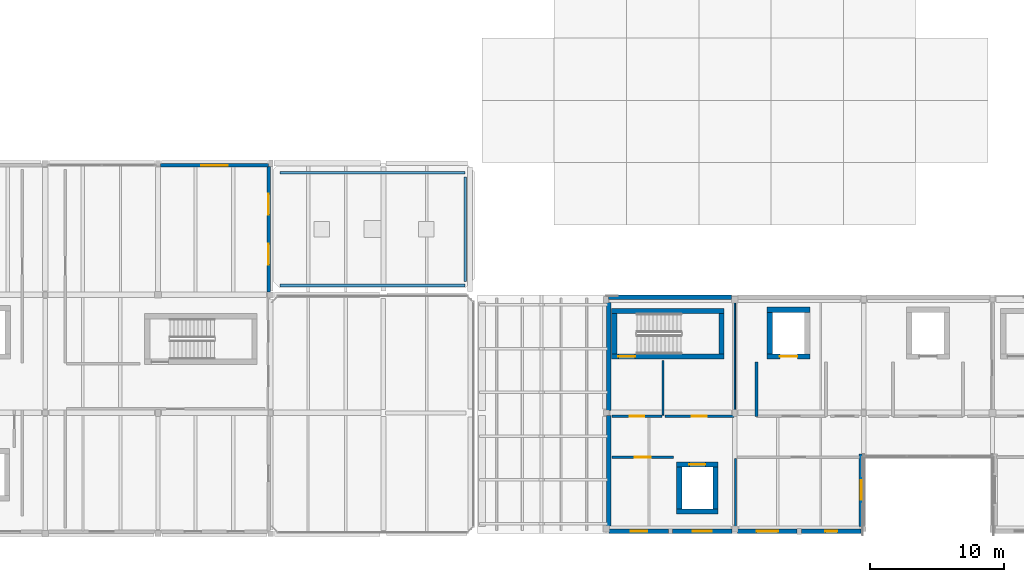
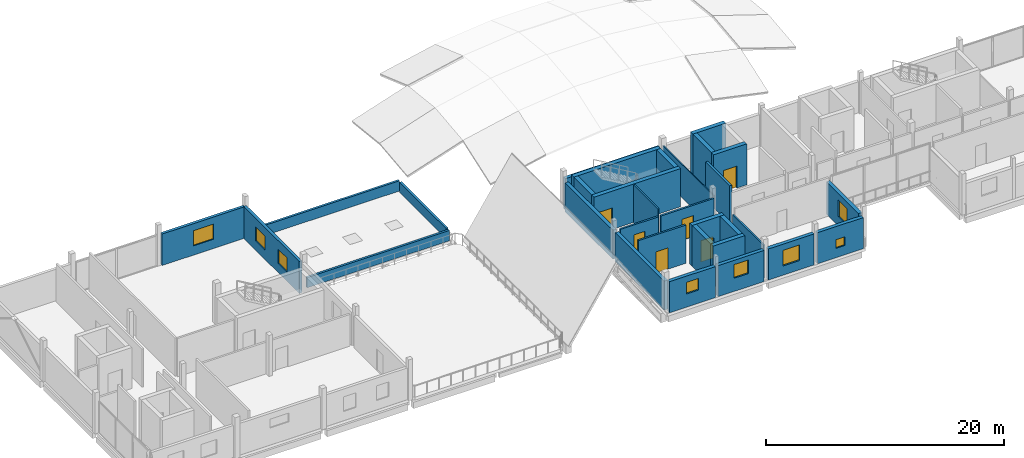
# One storey, part 20 of 35: 31 walls, 8 windows, 6 doors, 14 openings.
"""IFC4 building model written with IfcOpenShell, lengths in metres."""

from ifc_helpers import new_model, si_unit, direction, frame, frame_2d, origin, place, context, subcontext, project, spatial, rectangle, extrude, material, layer, layer_set, type_object, element, fill, save


model = new_model("IFC4")

# Units and contexts
model_context = context("Model", 3, precision=1e-05, world=origin(), true_north=direction((0.0, 1.0)))
body_context = subcontext(model_context, "Body", "Model", "MODEL_VIEW")
ifc_project = project(units=[si_unit("LENGTHUNIT", "METRE"), si_unit("AREAUNIT", "SQUARE_METRE"), si_unit("VOLUMEUNIT", "CUBIC_METRE"), si_unit("PLANEANGLEUNIT", "RADIAN"), si_unit("MASSUNIT", "GRAM", prefix="KILO")], contexts=[model_context])

# Site, building, storey
site_placement = place(None, origin())
site = spatial("IfcSite", under=ifc_project, at=site_placement, CompositionType="ELEMENT")
building_placement = place(site_placement, origin())
building = spatial("IfcBuilding", under=site, at=building_placement, Name="Birchvale Park Specialist Clinic", CompositionType="ELEMENT")
storey_placement = place(building_placement, frame((0.0, 0.0, 13.800048828125)))
storey = spatial("IfcBuildingStorey", under=building, at=storey_placement, Name="L03", CompositionType="ELEMENT", Elevation=13.800048828125)

# Wall, opening, door
ifc_material_1 = material(Name="Concrete C40/50", Category="concrete")
ifc_layer_1 = layer(ifc_material_1, 0.39990234375)
ifc_layer_set_1 = layer_set([ifc_layer_1], Name="Concrete C40/50")
wall_type_1 = type_object("IfcWallType", Name="WL-CW-120", PredefinedType="SHEAR", material=ifc_layer_set_1)
wall_1_placement = place(storey_placement, frame((61.800048828125, 30.0, 0.0), z_axis=(0.0, 0.0, 1.0), x_axis=(1.0, 0.0, 0.0)))
wall_1 = element("IfcWall", 1, at=wall_1_placement, inside=storey, type_object=wall_type_1, Name="L03 stair ST4 EI 120 enclosure wall (south)", PredefinedType="SHEAR", context=body_context, shape_type="SweptSolid", body=[
    extrude(rectangle(XDim=8.39990234375, YDim=0.39990234375, at=frame_2d((4.199951171875, 0.0))), origin(), (0.0, 0.0, 1.0), 3.919921875),
])
opening_1_placement = place(wall_1_placement, frame((0.52001953125, 0.0, 0.0)))
opening_1 = element("IfcOpeningElement", 2, at=opening_1_placement, cuts=wall_1, Name="Opening ID-FD60", PredefinedType="OPENING", context=body_context, shape_type="SweptSolid", body=[
    extrude(rectangle(XDim=1.25, YDim=2.199951171875, at=frame_2d((0.625, 1.10009765625))), frame((0.0, 0.2099609375, 0.0), z_axis=(0.0, -1.0, 0.0), x_axis=(1.0, 0.0, 0.0)), (0.0, 0.0, 1.0), 0.419921875),
])
ifc_material_2 = material(Name="Solid-core birch veneer and anodised aluminium", Category="aluminium")
door_type_1 = type_object("IfcDoorType", Name="DR-ID-FD60", OperationType="NOTDEFINED", PredefinedType="DOOR", material=ifc_material_2)
door_1_placement = place(opening_1_placement, origin())
door_1 = element("IfcDoor", 3, at=door_1_placement, inside=storey, type_object=door_type_1, Name="L03 stair ST4 fire door", OperationType="SINGLE_SWING_RIGHT", OverallHeight=2.199951171875, OverallWidth=1.25, PredefinedType="DOOR", context=body_context, shape_type="SweptSolid", body=[
    extrude(rectangle(XDim=1.25, YDim=2.199951171875, at=frame_2d((0.625, 1.10009765625))), frame((0.0, 0.02490234375, 0.0), z_axis=(0.0, -1.0, 0.0), x_axis=(1.0, 0.0, 0.0)), (0.0, 0.0, 1.0), 0.050048828125),
])
fill(opening_1, door_1)

# Walls
wall_2_placement = place(storey_placement, frame((70.199951171875, 33.39990234375, 0.0), z_axis=(0.0, 0.0, 1.0), x_axis=(-1.0, 0.0, 0.0)))
element("IfcWall", 4, at=wall_2_placement, inside=storey, type_object=wall_type_1, Name="L03 stair ST4 EI 120 enclosure wall (north)", PredefinedType="SHEAR", context=body_context, shape_type="SweptSolid", body=[
    extrude(rectangle(XDim=8.39990234375, YDim=0.39990234375, at=frame_2d((4.199951171875, 0.0))), origin(), (0.0, 0.0, 1.0), 3.919921875),
])
for number, where, z_axis, x_axis, name in (
    (5, (62.0, 30.199951171875, 0.0), (0.0, 0.0, 1.0), (0.0, 1.0, 0.0), "L03 stair ST4 EI 120 enclosure wall (west)"),
    (6, (70.0, 33.199951171875, 0.0), (0.0, 0.0, 1.0), (0.0, -1.0, 0.0), "L03 stair ST4 EI 120 enclosure wall (east)"),
):
    element("IfcWall", number, at=place(storey_placement, frame(where, z_axis=z_axis, x_axis=x_axis)), inside=storey, type_object=wall_type_1, Name=name, PredefinedType="SHEAR", context=body_context, shape_type="SweptSolid", body=[
        extrude(rectangle(XDim=3.0, YDim=0.39990234375, at=frame_2d((1.5, 0.0))), origin(), (0.0, 0.0, 1.0), 3.919921875),
    ])

# Wall, opening, door
wall_3_placement = place(storey_placement, frame((73.39990234375, 30.0, 0.0), z_axis=(0.0, 0.0, 1.0), x_axis=(1.0, 0.0, 0.0)))
wall_3 = element("IfcWall", 7, at=wall_3_placement, inside=storey, type_object=wall_type_1, Name="L03 lift LF1 shaft wall (south)", PredefinedType="SHEAR", context=body_context, shape_type="SweptSolid", body=[
    extrude(rectangle(XDim=3.2001953125, YDim=0.39990234375, at=frame_2d((1.60009765625, 0.0))), origin(), (0.0, 0.0, 1.0), 4.199951171875),
])
opening_2_placement = place(wall_3_placement, frame((0.949951171875, 0.0, 0.0)))
opening_2 = element("IfcOpeningElement", 8, at=opening_2_placement, cuts=wall_3, Name="Opening LD-02", PredefinedType="OPENING", context=body_context, shape_type="SweptSolid", body=[
    extrude(rectangle(XDim=1.300048828125, YDim=2.25, at=frame_2d((0.64990234375, 1.125))), frame((0.0, 0.2099609375, 0.0), z_axis=(0.0, -1.0, 0.0), x_axis=(1.0, 0.0, 0.0)), (0.0, 0.0, 1.0), 0.419921875),
])
door_type_2 = type_object("IfcDoorType", Name="DR-LD-02", OperationType="DOUBLE_DOOR_SLIDING", PredefinedType="DOOR", material=ifc_material_2)
door_2_placement = place(opening_2_placement, origin())
door_2 = element("IfcDoor", 9, at=door_2_placement, inside=storey, type_object=door_type_2, Name="L03 lift LF1 sliding landing door", OperationType="DOUBLE_DOOR_SLIDING", OverallHeight=2.25, OverallWidth=1.300048828125, PredefinedType="DOOR", context=body_context, shape_type="SweptSolid", body=[
    extrude(rectangle(XDim=1.300048828125, YDim=2.25, at=frame_2d((0.64990234375, 1.125))), frame((0.0, 0.02490234375, 0.0), z_axis=(0.0, -1.0, 0.0), x_axis=(1.0, 0.0, 0.0)), (0.0, 0.0, 1.0), 0.050048828125),
])
fill(opening_2, door_2)

# Walls
wall_4_placement = place(storey_placement, frame((76.60009765625, 33.5, 0.0), z_axis=(0.0, 0.0, 1.0), x_axis=(-1.0, 0.0, 0.0)))
element("IfcWall", 10, at=wall_4_placement, inside=storey, type_object=wall_type_1, Name="L03 lift LF1 shaft wall (north)", PredefinedType="SHEAR", context=body_context, shape_type="SweptSolid", body=[
    extrude(rectangle(XDim=3.2001953125, YDim=0.39990234375, at=frame_2d((1.60009765625, 0.0))), origin(), (0.0, 0.0, 1.0), 4.199951171875),
])
for number, where, z_axis, x_axis, name in (
    (11, (73.60009765625, 30.199951171875, 0.0), (0.0, 0.0, 1.0), (0.0, 1.0, 0.0), "L03 lift LF1 shaft wall (west)"),
    (12, (66.64990234375, 18.449951171875, 0.0), (0.0, 0.0, 1.0), (1.0, 0.0, 0.0), "L03 lift LP1 shaft wall (south)"),
):
    element("IfcWall", number, at=place(storey_placement, frame(where, z_axis=z_axis, x_axis=x_axis)), inside=storey, type_object=wall_type_1, Name=name, PredefinedType="SHEAR", context=body_context, shape_type="SweptSolid", body=[
        extrude(rectangle(XDim=3.10009765625, YDim=0.39990234375, at=frame_2d((1.550048828125, 0.0))), origin(), (0.0, 0.0, 1.0), 4.199951171875),
    ])

# Wall, opening, door
wall_5_placement = place(storey_placement, frame((69.75, 21.949951171875, 0.0), z_axis=(0.0, 0.0, 1.0), x_axis=(-1.0, 0.0, 0.0)))
wall_5 = element("IfcWall", 13, at=wall_5_placement, inside=storey, type_object=wall_type_1, Name="L03 lift LP1 shaft wall (north)", PredefinedType="SHEAR", context=body_context, shape_type="SweptSolid", body=[
    extrude(rectangle(XDim=3.10009765625, YDim=0.39990234375, at=frame_2d((1.550048828125, 0.0))), origin(), (0.0, 0.0, 1.0), 4.199951171875),
])
opening_3_placement = place(wall_5_placement, frame((0.949951171875, 0.0, 0.0)))
opening_3 = element("IfcOpeningElement", 14, at=opening_3_placement, cuts=wall_5, Name="Opening LD-01", PredefinedType="OPENING", context=body_context, shape_type="SweptSolid", body=[
    extrude(rectangle(XDim=1.199951171875, YDim=2.199951171875, at=frame_2d((0.60009765625, 1.10009765625))), frame((0.0, 0.2099609375, 0.0), z_axis=(0.0, -1.0, 0.0), x_axis=(1.0, 0.0, 0.0)), (0.0, 0.0, 1.0), 0.419921875),
])
door_type_3 = type_object("IfcDoorType", Name="DR-LD-01", OperationType="DOUBLE_DOOR_SLIDING", PredefinedType="DOOR", material=ifc_material_2)
door_3_placement = place(opening_3_placement, origin())
door_3 = element("IfcDoor", 15, at=door_3_placement, inside=storey, type_object=door_type_3, Name="L03 lift LP1 sliding landing door", OperationType="DOUBLE_DOOR_SLIDING", OverallHeight=2.199951171875, OverallWidth=1.199951171875, PredefinedType="DOOR", context=body_context, shape_type="SweptSolid", body=[
    extrude(rectangle(XDim=1.199951171875, YDim=2.199951171875, at=frame_2d((0.60009765625, 1.10009765625))), frame((0.0, 0.02490234375, 0.0), z_axis=(0.0, -1.0, 0.0), x_axis=(1.0, 0.0, 0.0)), (0.0, 0.0, 1.0), 0.050048828125),
])
fill(opening_3, door_3)

# Walls
for number, where, z_axis, x_axis, name in (
    (16, (66.85009765625, 18.64990234375, 0.0), (0.0, 0.0, 1.0), (0.0, 1.0, 0.0), "L03 lift LP1 shaft wall (west)"),
    (17, (69.550048828125, 21.75, 0.0), (0.0, 0.0, 1.0), (0.0, -1.0, 0.0), "L03 lift LP1 shaft wall (east)"),
):
    element("IfcWall", number, at=place(storey_placement, frame(where, z_axis=z_axis, x_axis=x_axis)), inside=storey, type_object=wall_type_1, Name=name, PredefinedType="SHEAR", context=body_context, shape_type="SweptSolid", body=[
        extrude(rectangle(XDim=3.10009765625, YDim=0.39990234375, at=frame_2d((1.550048828125, 0.0))), origin(), (0.0, 0.0, 1.0), 4.199951171875),
    ])

# Wall, opening, window
ifc_material_3 = material(Name="Lime-white mineral-rendered insulated masonry", Category="masonry")
ifc_layer_2 = layer(ifc_material_3, 0.340087890625)
ifc_layer_set_2 = layer_set([ifc_layer_2], Name="Lime-white mineral-rendered insulated masonry")
wall_type_2 = type_object("IfcWallType", Name="WL-EW-01", PredefinedType="STANDARD", material=ifc_layer_set_2)
wall_6_placement = place(storey_placement, frame((61.635009765625, 16.989990234375, 0.0), z_axis=(0.0, 0.0, 1.0), x_axis=(1.0, 0.0, 0.0)))
wall_6 = element("IfcWall", 18, at=wall_6_placement, inside=storey, type_object=wall_type_2, Name="V4 L03 exterior facade wall 238", PredefinedType="STANDARD", context=body_context, shape_type="SweptSolid", body=[
    extrude(rectangle(XDim=4.429931640625, YDim=0.340087890625, at=frame_2d((2.21484375, 0.0))), origin(), (0.0, 0.0, 1.0), 3.18505859375),
])
opening_4_placement = place(wall_6_placement, frame((1.614990234375, 0.0, 1.35009765625)))
opening_4 = element("IfcOpeningElement", 19, at=opening_4_placement, cuts=wall_6, Name="Opening W-SQ12", PredefinedType="OPENING", context=body_context, shape_type="SweptSolid", body=[
    extrude(rectangle(XDim=1.199951171875, YDim=1.199951171875, at=frame_2d((0.60009765625, 0.60009765625))), frame((0.0, 0.18017578125, 0.0), z_axis=(0.0, -1.0, 0.0), x_axis=(1.0, 0.0, 0.0)), (0.0, 0.0, 1.0), 0.360107421875),
])
ifc_material_4 = material(Name="Solar-control low-E double glazing", Category="glass")
window_type_1 = type_object("IfcWindowType", Name="WIN-W-SQ12", PartitioningType="SINGLE_PANEL", PredefinedType="WINDOW", material=ifc_material_4)
window_1_placement = place(opening_4_placement, origin())
window_1 = element("IfcWindow", 20, at=window_1_placement, inside=storey, type_object=window_type_1, Name="V4 L03 cased window 100", OverallHeight=1.199951171875, OverallWidth=1.199951171875, PartitioningType="SINGLE_PANEL", PredefinedType="WINDOW", context=body_context, shape_type="SweptSolid", body=[
    extrude(rectangle(XDim=1.199951171875, YDim=1.199951171875, at=frame_2d((0.60009765625, 0.60009765625))), frame((0.0, 0.030029296875, 0.0), z_axis=(0.0, -1.0, 0.0), x_axis=(1.0, 0.0, 0.0)), (0.0, 0.0, 1.0), 0.06005859375),
])
fill(opening_4, window_1)

wall_7_placement = place(storey_placement, frame((66.3349609375, 16.989990234375, 0.0), z_axis=(0.0, 0.0, 1.0), x_axis=(1.0, 0.0, 0.0)))
wall_7 = element("IfcWall", 21, at=wall_7_placement, inside=storey, type_object=wall_type_2, Name="V4 L03 exterior facade wall 239", PredefinedType="STANDARD", context=body_context, shape_type="SweptSolid", body=[
    extrude(rectangle(XDim=4.455078125, YDim=0.340087890625, at=frame_2d((2.2275390625, 0.0))), origin(), (0.0, 0.0, 1.0), 3.18505859375),
])
opening_5_placement = place(wall_7_placement, frame((1.527587890625, 0.0, 1.35009765625)))
opening_5 = element("IfcOpeningElement", 22, at=opening_5_placement, cuts=wall_7, Name="Opening W-SQ14", PredefinedType="OPENING", context=body_context, shape_type="SweptSolid", body=[
    extrude(rectangle(XDim=1.39990234375, YDim=1.39990234375, at=frame_2d((0.699951171875, 0.699951171875))), frame((0.0, 0.18017578125, 0.0), z_axis=(0.0, -1.0, 0.0), x_axis=(1.0, 0.0, 0.0)), (0.0, 0.0, 1.0), 0.360107421875),
])
window_type_2 = type_object("IfcWindowType", Name="WIN-W-SQ14", PartitioningType="SINGLE_PANEL", PredefinedType="WINDOW", material=ifc_material_4)
window_2_placement = place(opening_5_placement, origin())
window_2 = element("IfcWindow", 23, at=window_2_placement, inside=storey, type_object=window_type_2, Name="V4 L03 cased window 101", OverallHeight=1.39990234375, OverallWidth=1.39990234375, PartitioningType="SINGLE_PANEL", PredefinedType="WINDOW", context=body_context, shape_type="SweptSolid", body=[
    extrude(rectangle(XDim=1.39990234375, YDim=1.39990234375, at=frame_2d((0.699951171875, 0.699951171875))), frame((0.0, 0.030029296875, 0.0), z_axis=(0.0, -1.0, 0.0), x_axis=(1.0, 0.0, 0.0)), (0.0, 0.0, 1.0), 0.06005859375),
])
fill(opening_5, window_2)

wall_8_placement = place(storey_placement, frame((71.2099609375, 16.989990234375, 0.0), z_axis=(0.0, 0.0, 1.0), x_axis=(1.0, 0.0, 0.0)))
wall_8 = element("IfcWall", 24, at=wall_8_placement, inside=storey, type_object=wall_type_2, Name="V4 L03 exterior facade wall 240", PredefinedType="STANDARD", context=body_context, shape_type="SweptSolid", body=[
    extrude(rectangle(XDim=4.43505859375, YDim=0.340087890625, at=frame_2d((2.217529296875, 0.0))), origin(), (0.0, 0.0, 1.0), 3.18505859375),
])
opening_6_placement = place(wall_8_placement, frame((1.41748046875, 0.0, 0.949951171875)))
opening_6 = element("IfcOpeningElement", 25, at=opening_6_placement, cuts=wall_8, Name="Opening W-SQ16", PredefinedType="OPENING", context=body_context, shape_type="SweptSolid", body=[
    extrude(rectangle(XDim=1.60009765625, YDim=1.60009765625, at=frame_2d((0.800048828125, 0.800048828125))), frame((0.0, 0.18017578125, 0.0), z_axis=(0.0, -1.0, 0.0), x_axis=(1.0, 0.0, 0.0)), (0.0, 0.0, 1.0), 0.360107421875),
])
window_type_3 = type_object("IfcWindowType", Name="WIN-W-SQ16", PartitioningType="SINGLE_PANEL", PredefinedType="WINDOW", material=ifc_material_4)
window_3_placement = place(opening_6_placement, origin())
window_3 = element("IfcWindow", 26, at=window_3_placement, inside=storey, type_object=window_type_3, Name="V4 L03 cased window 102", OverallHeight=1.60009765625, OverallWidth=1.60009765625, PartitioningType="SINGLE_PANEL", PredefinedType="WINDOW", context=body_context, shape_type="SweptSolid", body=[
    extrude(rectangle(XDim=1.60009765625, YDim=1.60009765625, at=frame_2d((0.800048828125, 0.800048828125))), frame((0.0, 0.030029296875, 0.0), z_axis=(0.0, -1.0, 0.0), x_axis=(1.0, 0.0, 0.0)), (0.0, 0.0, 1.0), 0.06005859375),
])
fill(opening_6, window_3)

wall_9_placement = place(storey_placement, frame((75.955078125, 16.989990234375, 0.0), z_axis=(0.0, 0.0, 1.0), x_axis=(1.0, 0.0, 0.0)))
wall_9 = element("IfcWall", 27, at=wall_9_placement, inside=storey, type_object=wall_type_2, Name="V4 L03 exterior facade wall 241", PredefinedType="STANDARD", context=body_context, shape_type="SweptSolid", body=[
    extrude(rectangle(XDim=4.4599609375, YDim=0.340087890625, at=frame_2d((2.22998046875, 0.0))), origin(), (0.0, 0.0, 1.0), 3.18505859375),
])
opening_7_placement = place(wall_9_placement, frame((1.780029296875, 0.0, 0.949951171875)))
opening_7 = element("IfcOpeningElement", 28, at=opening_7_placement, cuts=wall_9, Name="Opening W-SQ09", PredefinedType="OPENING", context=body_context, shape_type="SweptSolid", body=[
    extrude(rectangle(XDim=0.89990234375, YDim=0.89990234375, at=frame_2d((0.449951171875, 0.449951171875))), frame((0.0, 0.18017578125, 0.0), z_axis=(0.0, -1.0, 0.0), x_axis=(1.0, 0.0, 0.0)), (0.0, 0.0, 1.0), 0.360107421875),
])
window_type_4 = type_object("IfcWindowType", Name="WIN-W-SQ09", PartitioningType="SINGLE_PANEL", PredefinedType="WINDOW", material=ifc_material_4)
window_4_placement = place(opening_7_placement, origin())
window_4 = element("IfcWindow", 29, at=window_4_placement, inside=storey, type_object=window_type_4, Name="V4 L03 cased window 103", OverallHeight=0.89990234375, OverallWidth=0.89990234375, PartitioningType="SINGLE_PANEL", PredefinedType="WINDOW", context=body_context, shape_type="SweptSolid", body=[
    extrude(rectangle(XDim=0.89990234375, YDim=0.89990234375, at=frame_2d((0.449951171875, 0.449951171875))), frame((0.0, 0.030029296875, 0.0), z_axis=(0.0, -1.0, 0.0), x_axis=(1.0, 0.0, 0.0)), (0.0, 0.0, 1.0), 0.06005859375),
])
fill(opening_7, window_4)

wall_10_placement = place(storey_placement, frame((80.409912109375, 17.3349609375, 0.0), z_axis=(0.0, 0.0, 1.0), x_axis=(0.0, 1.0, 0.0)))
wall_10 = element("IfcWall", 30, at=wall_10_placement, inside=storey, type_object=wall_type_2, Name="V4 L03 exterior facade wall 242", PredefinedType="STANDARD", context=body_context, shape_type="SweptSolid", body=[
    extrude(rectangle(XDim=5.405029296875, YDim=0.340087890625, at=frame_2d((2.70263671875, 0.0))), origin(), (0.0, 0.0, 1.0), 3.3349609375),
])
opening_8_placement = place(wall_10_placement, frame((1.9775390625, 0.0, 0.949951171875)))
opening_8 = element("IfcOpeningElement", 31, at=opening_8_placement, cuts=wall_10, Name="Opening W-CL12", PredefinedType="OPENING", context=body_context, shape_type="SweptSolid", body=[
    extrude(rectangle(XDim=1.449951171875, YDim=1.699951171875, at=frame_2d((0.72509765625, 0.85009765625))), frame((0.0, 0.18017578125, 0.0), z_axis=(0.0, -1.0, 0.0), x_axis=(1.0, 0.0, 0.0)), (0.0, 0.0, 1.0), 0.360107421875),
])
window_type_5 = type_object("IfcWindowType", Name="WIN-W-CL12", PartitioningType="SINGLE_PANEL", PredefinedType="WINDOW", material=ifc_material_4)
window_5_placement = place(opening_8_placement, origin())
window_5 = element("IfcWindow", 32, at=window_5_placement, inside=storey, type_object=window_type_5, Name="V4 L03 cased window 104", OverallHeight=1.699951171875, OverallWidth=1.449951171875, PartitioningType="SINGLE_PANEL", PredefinedType="WINDOW", context=body_context, shape_type="SweptSolid", body=[
    extrude(rectangle(XDim=1.449951171875, YDim=1.699951171875, at=frame_2d((0.72509765625, 0.85009765625))), frame((0.0, 0.030029296875, 0.0), z_axis=(0.0, -1.0, 0.0), x_axis=(1.0, 0.0, 0.0)), (0.0, 0.0, 1.0), 0.06005859375),
])
fill(opening_8, window_5)

# Walls
wall_11_placement = place(storey_placement, frame((70.764892578125, 34.409912109375, 0.0), z_axis=(0.0, 0.0, 1.0), x_axis=(-1.0, 0.0, 0.0)))
element("IfcWall", 33, at=wall_11_placement, inside=storey, type_object=wall_type_2, Name="V4 L03 exterior facade wall 255", PredefinedType="STANDARD", context=body_context, shape_type="SweptSolid", body=[
    extrude(rectangle(XDim=9.184814453125, YDim=0.340087890625, at=frame_2d((4.59228515625, 0.0))), origin(), (0.0, 0.0, 1.0), 3.18505859375),
])
wall_12_placement = place(storey_placement, frame((61.590087890625, 34.014892578125, 0.0), z_axis=(0.0, 0.0, 1.0), x_axis=(0.0, -1.0, 0.0)))
element("IfcWall", 34, at=wall_12_placement, inside=storey, type_object=wall_type_2, Name="V4 L03 exterior facade wall 256", PredefinedType="STANDARD", context=body_context, shape_type="SweptSolid", body=[
    extrude(rectangle(XDim=8.019775390625, YDim=0.340087890625, at=frame_2d((4.009765625, 0.0))), origin(), (0.0, 0.0, 1.0), 2.96484375),
])
wall_13_placement = place(storey_placement, frame((61.590087890625, 25.60498046875, 0.0), z_axis=(0.0, 0.0, 1.0), x_axis=(0.0, -1.0, 0.0)))
element("IfcWall", 35, at=wall_13_placement, inside=storey, type_object=wall_type_2, Name="V4 L03 exterior facade wall 257", PredefinedType="STANDARD", context=body_context, shape_type="SweptSolid", body=[
    extrude(rectangle(XDim=8.219970703125, YDim=0.340087890625, at=frame_2d((4.10986328125, 0.0))), origin(), (0.0, 0.0, 1.0), 2.96484375),
])

# Wall, openings, windows
ifc_layer_3 = layer(ifc_material_3, 0.27001953125)
ifc_layer_set_3 = layer_set([ifc_layer_3], Name="Lime-white mineral-rendered insulated masonry")
wall_type_3 = type_object("IfcWallType", Name="WL-EW-04", PredefinedType="STANDARD", material=ifc_layer_set_3)
wall_14_placement = place(storey_placement, frame((36.2451171875, 34.820068359375, 0.0), z_axis=(0.0, 0.0, 1.0), x_axis=(0.0, 1.0, 0.0)))
wall_14 = element("IfcWall", 36, at=wall_14_placement, inside=storey, type_object=wall_type_3, Name="V2 L03 exterior facade wall 233", PredefinedType="STANDARD", context=body_context, shape_type="SweptSolid", body=[
    extrude(rectangle(XDim=9.3349609375, YDim=0.27001953125, at=frame_2d((4.66748046875, 0.0))), origin(), (0.0, 0.0, 1.0), 3.27490234375),
])
opening_9_placement = place(wall_14_placement, frame((2.025390625, 0.0, 0.949951171875)))
opening_9 = element("IfcOpeningElement", 37, at=opening_9_placement, cuts=wall_14, Name="Opening W-CL15", PredefinedType="OPENING", context=body_context, shape_type="SweptSolid", body=[
    extrude(rectangle(XDim=1.550048828125, YDim=1.449951171875, at=frame_2d((0.77490234375, 0.72509765625))), frame((0.0, 0.14501953125, 0.0), z_axis=(0.0, -1.0, 0.0), x_axis=(1.0, 0.0, 0.0)), (0.0, 0.0, 1.0), 0.2900390625),
])
opening_10_placement = place(wall_14_placement, frame((5.759521484375, 0.0, 0.949951171875)))
opening_10 = element("IfcOpeningElement", 38, at=opening_10_placement, cuts=wall_14, Name="Opening W-CL15", PredefinedType="OPENING", context=body_context, shape_type="SweptSolid", body=[
    extrude(rectangle(XDim=1.550048828125, YDim=1.449951171875, at=frame_2d((0.77490234375, 0.72509765625))), frame((0.0, 0.14501953125, 0.0), z_axis=(0.0, -1.0, 0.0), x_axis=(1.0, 0.0, 0.0)), (0.0, 0.0, 1.0), 0.2900390625),
])
window_type_6 = type_object("IfcWindowType", Name="WIN-W-CL15", PartitioningType="SINGLE_PANEL", PredefinedType="WINDOW", material=ifc_material_4)
window_6_placement = place(opening_9_placement, origin())
window_6 = element("IfcWindow", 39, at=window_6_placement, inside=storey, type_object=window_type_6, Name="V2 L03 cased window 97", OverallHeight=1.449951171875, OverallWidth=1.550048828125, PartitioningType="SINGLE_PANEL", PredefinedType="WINDOW", context=body_context, shape_type="SweptSolid", body=[
    extrude(rectangle(XDim=1.550048828125, YDim=1.449951171875, at=frame_2d((0.77490234375, 0.72509765625))), frame((0.0, 0.030029296875, 0.0), z_axis=(0.0, -1.0, 0.0), x_axis=(1.0, 0.0, 0.0)), (0.0, 0.0, 1.0), 0.06005859375),
])
fill(opening_9, window_6)
window_7_placement = place(opening_10_placement, origin())
window_7 = element("IfcWindow", 40, at=window_7_placement, inside=storey, type_object=window_type_6, Name="V2 L03 cased window 98", OverallHeight=1.449951171875, OverallWidth=1.550048828125, PartitioningType="SINGLE_PANEL", PredefinedType="WINDOW", context=body_context, shape_type="SweptSolid", body=[
    extrude(rectangle(XDim=1.550048828125, YDim=1.449951171875, at=frame_2d((0.77490234375, 0.72509765625))), frame((0.0, 0.030029296875, 0.0), z_axis=(0.0, -1.0, 0.0), x_axis=(1.0, 0.0, 0.0)), (0.0, 0.0, 1.0), 0.06005859375),
])
fill(opening_10, window_7)

# Wall, opening, window
wall_15_placement = place(storey_placement, frame((36.22998046875, 44.2451171875, 0.0), z_axis=(0.0, 0.0, 1.0), x_axis=(-1.0, 0.0, 0.0)))
wall_15 = element("IfcWall", 41, at=wall_15_placement, inside=storey, type_object=wall_type_3, Name="V2 L03 exterior facade wall 234", PredefinedType="STANDARD", context=body_context, shape_type="SweptSolid", body=[
    extrude(rectangle(XDim=8.034912109375, YDim=0.27001953125, at=frame_2d((4.017578125, 0.0))), origin(), (0.0, 0.0, 1.0), 3.224853515625),
])
opening_11_placement = place(wall_15_placement, frame((3.04248046875, 0.0, 0.949951171875)))
opening_11 = element("IfcOpeningElement", 42, at=opening_11_placement, cuts=wall_15, Name="Opening W-CL17", PredefinedType="OPENING", context=body_context, shape_type="SweptSolid", body=[
    extrude(rectangle(XDim=1.949951171875, YDim=1.550048828125, at=frame_2d((0.97509765625, 0.77490234375))), frame((0.0, 0.14501953125, 0.0), z_axis=(0.0, -1.0, 0.0), x_axis=(1.0, 0.0, 0.0)), (0.0, 0.0, 1.0), 0.2900390625),
])
window_type_7 = type_object("IfcWindowType", Name="WIN-W-CL17", PartitioningType="SINGLE_PANEL", PredefinedType="WINDOW", material=ifc_material_4)
window_8_placement = place(opening_11_placement, origin())
window_8 = element("IfcWindow", 43, at=window_8_placement, inside=storey, type_object=window_type_7, Name="V2 L03 cased window 99", OverallHeight=1.550048828125, OverallWidth=1.949951171875, PartitioningType="SINGLE_PANEL", PredefinedType="WINDOW", context=body_context, shape_type="SweptSolid", body=[
    extrude(rectangle(XDim=1.949951171875, YDim=1.550048828125, at=frame_2d((0.97509765625, 0.77490234375))), frame((0.0, 0.030029296875, 0.0), z_axis=(0.0, -1.0, 0.0), x_axis=(1.0, 0.0, 0.0)), (0.0, 0.0, 1.0), 0.06005859375),
])
fill(opening_11, window_8)

# Walls
ifc_material_5 = material(Name="Acoustic gypsum board on metal framing")
ifc_layer_4 = layer(ifc_material_5, 0.14990234375)
ifc_layer_set_4 = layer_set([ifc_layer_4], Name="Acoustic gypsum board on metal framing")
wall_type_4 = type_object("IfcWallType", Name="WL-IW-02", PredefinedType="PARTITIONING", material=ifc_layer_set_4)
wall_16_placement = place(storey_placement, frame((71.030029296875, 22.419921875, 0.0), z_axis=(0.0, 0.0, 1.0), x_axis=(0.0, -1.0, 0.0)))
element("IfcWall", 44, at=wall_16_placement, inside=storey, type_object=wall_type_4, Name="V4 L03 clinical partition 502", PredefinedType="PARTITIONING", context=body_context, shape_type="SweptSolid", body=[
    extrude(rectangle(XDim=5.179931640625, YDim=0.14990234375, at=frame_2d((2.58984375, 0.0))), origin(), (0.0, 0.0, 1.0), 3.405029296875),
])
ifc_layer_5 = layer(ifc_material_5, 0.125)
ifc_layer_set_5 = layer_set([ifc_layer_5], Name="Acoustic gypsum board on metal framing")
wall_type_5 = type_object("IfcWallType", Name="WL-IW-04", PredefinedType="PARTITIONING", material=ifc_layer_set_5)
wall_17_placement = place(storey_placement, frame((65.640869140625, 29.699951171875, 0.0), z_axis=(0.0, 0.0, 1.0), x_axis=(0.0, -1.0, 0.0)))
element("IfcWall", 45, at=wall_17_placement, inside=storey, type_object=wall_type_5, Name="V4 L03 clinical partition 511", PredefinedType="PARTITIONING", context=body_context, shape_type="SweptSolid", body=[
    extrude(rectangle(XDim=4.070068359375, YDim=0.125, at=frame_2d((2.03515625, 0.0))), origin(), (0.0, 0.0, 1.0), 3.919921875),
])
ifc_layer_6 = layer(ifc_material_5, 0.10009765625)
ifc_layer_set_6 = layer_set([ifc_layer_6], Name="Acoustic gypsum board on metal framing")
wall_type_6 = type_object("IfcWallType", Name="WL-IW-06", PredefinedType="PARTITIONING", material=ifc_layer_set_6)
wall_18_placement = place(storey_placement, frame((71.0, 34.159912109375, 0.0), z_axis=(0.0, 0.0, 1.0), x_axis=(0.0, -1.0, 0.0)))
element("IfcWall", 46, at=wall_18_placement, inside=storey, type_object=wall_type_6, Name="V4 L03 clinical partition 513", PredefinedType="PARTITIONING", context=body_context, shape_type="SweptSolid", body=[
    extrude(rectangle(XDim=8.530029296875, YDim=0.10009765625, at=frame_2d((4.26513671875, 0.0))), origin(), (0.0, 0.0, 1.0), 3.405029296875),
])
ifc_layer_7 = layer(ifc_material_5, 0.219970703125)
ifc_layer_set_7 = layer_set([ifc_layer_7], Name="Acoustic gypsum board on metal framing")
wall_type_7 = type_object("IfcWallType", Name="WL-IW-120", PredefinedType="PARTITIONING", material=ifc_layer_set_7)
wall_19_placement = place(storey_placement, frame((72.60009765625, 29.60009765625, 0.0), z_axis=(0.0, 0.0, 1.0), x_axis=(0.0, -1.0, 0.0)))
element("IfcWall", 47, at=wall_19_placement, inside=storey, type_object=wall_type_7, Name="L03 firefighting lift lobby K4 EI 120 wall (west)", PredefinedType="PARTITIONING", context=body_context, shape_type="SweptSolid", body=[
    extrude(rectangle(XDim=4.050048828125, YDim=0.219970703125, at=frame_2d((2.02490234375, 0.0))), origin(), (0.0, 0.0, 1.0), 3.919921875),
])

# Wall, opening, door
ifc_layer_8 = layer(ifc_material_5, 0.179931640625)
ifc_layer_set_8 = layer_set([ifc_layer_8], Name="Acoustic gypsum board on metal framing")
wall_type_8 = type_object("IfcWallType", Name="WL-IW-60", PredefinedType="PARTITIONING", material=ifc_layer_set_8)
wall_20_placement = place(storey_placement, frame((61.840087890625, 22.5, 0.0), z_axis=(0.0, 0.0, 1.0), x_axis=(1.0, 0.0, 0.0)))
wall_20 = element("IfcWall", 48, at=wall_20_placement, inside=storey, type_object=wall_type_8, Name="V4 L03 clinical partition 501", PredefinedType="PARTITIONING", context=body_context, shape_type="SweptSolid", body=[
    extrude(rectangle(XDim=4.579833984375, YDim=0.179931640625, at=frame_2d((2.2900390625, 0.0))), origin(), (0.0, 0.0, 1.0), 3.919921875),
])
opening_12_placement = place(wall_20_placement, frame((1.699951171875, 0.0, 0.0)))
opening_12 = element("IfcOpeningElement", 49, at=opening_12_placement, cuts=wall_20, Name="Opening ID-ST60", PredefinedType="OPENING", context=body_context, shape_type="SweptSolid", body=[
    extrude(rectangle(XDim=1.179931640625, YDim=2.179931640625, at=frame_2d((0.58984375, 1.08984375))), frame((0.0, 0.10009765625, 0.0), z_axis=(0.0, -1.0, 0.0), x_axis=(1.0, 0.0, 0.0)), (0.0, 0.0, 1.0), 0.199951171875),
])
door_type_4 = type_object("IfcDoorType", Name="DR-ID-ST60", OperationType="NOTDEFINED", PredefinedType="DOOR", material=ifc_material_2)
door_4_placement = place(opening_12_placement, origin())
door_4 = element("IfcDoor", 50, at=door_4_placement, inside=storey, type_object=door_type_4, Name="L03 Ophthalmology Outpatient Clinic door", OperationType="SINGLE_SWING_LEFT", OverallHeight=2.179931640625, OverallWidth=1.179931640625, PredefinedType="DOOR", context=body_context, shape_type="SweptSolid", body=[
    extrude(rectangle(XDim=1.179931640625, YDim=2.179931640625, at=frame_2d((0.58984375, 1.08984375))), frame((0.0, 0.02490234375, 0.0), z_axis=(0.0, -1.0, 0.0), x_axis=(1.0, 0.0, 0.0)), (0.0, 0.0, 1.0), 0.050048828125),
])
fill(opening_12, door_4)

wall_21_placement = place(storey_placement, frame((65.560791015625, 25.550048828125, 0.0), z_axis=(0.0, 0.0, 1.0), x_axis=(-1.0, 0.0, 0.0)))
wall_21 = element("IfcWall", 51, at=wall_21_placement, inside=storey, type_object=wall_type_8, Name="V4 L03 clinical partition 512", PredefinedType="PARTITIONING", context=body_context, shape_type="SweptSolid", body=[
    extrude(rectangle(XDim=3.720703125, YDim=0.179931640625, at=frame_2d((1.8603515625, 0.0))), origin(), (0.0, 0.0, 1.0), 3.224853515625),
])
opening_13_placement = place(wall_21_placement, frame((1.3203125, 0.0, 0.0)))
opening_13 = element("IfcOpeningElement", 52, at=opening_13_placement, cuts=wall_21, Name="Opening ID-03", PredefinedType="OPENING", context=body_context, shape_type="SweptSolid", body=[
    extrude(rectangle(XDim=1.080078125, YDim=2.199951171875, at=frame_2d((0.5400390625, 1.10009765625))), frame((0.0, 0.10009765625, 0.0), z_axis=(0.0, -1.0, 0.0), x_axis=(1.0, 0.0, 0.0)), (0.0, 0.0, 1.0), 0.199951171875),
])
door_type_5 = type_object("IfcDoorType", Name="DR-ID-03", OperationType="NOTDEFINED", PredefinedType="DOOR", material=ifc_material_2)
door_5_placement = place(opening_13_placement, origin())
door_5 = element("IfcDoor", 53, at=door_5_placement, inside=storey, type_object=door_type_5, Name="L03 Accessible Staff WC door", OperationType="SINGLE_SWING_LEFT", OverallHeight=2.199951171875, OverallWidth=1.080078125, PredefinedType="DOOR", context=body_context, shape_type="SweptSolid", body=[
    extrude(rectangle(XDim=1.080078125, YDim=2.199951171875, at=frame_2d((0.5400390625, 1.10009765625))), frame((0.0, 0.02490234375, 0.0), z_axis=(0.0, -1.0, 0.0), x_axis=(1.0, 0.0, 0.0)), (0.0, 0.0, 1.0), 0.050048828125),
])
fill(opening_13, door_5)

wall_22_placement = place(storey_placement, frame((70.919921875, 25.550048828125, 0.0), z_axis=(0.0, 0.0, 1.0), x_axis=(-1.0, 0.0, 0.0)))
wall_22 = element("IfcWall", 54, at=wall_22_placement, inside=storey, type_object=wall_type_8, Name="V4 L03 clinical partition 514", PredefinedType="PARTITIONING", context=body_context, shape_type="SweptSolid", body=[
    extrude(rectangle(XDim=5.119140625, YDim=0.179931640625, at=frame_2d((2.5595703125, 0.0))), origin(), (0.0, 0.0, 1.0), 3.224853515625),
])
opening_14_placement = place(wall_22_placement, frame((1.99951171875, 0.0, 0.0)))
opening_14 = element("IfcOpeningElement", 55, at=opening_14_placement, cuts=wall_22, Name="Opening ID-11", PredefinedType="OPENING", context=body_context, shape_type="SweptSolid", body=[
    extrude(rectangle(XDim=1.1201171875, YDim=2.159912109375, at=frame_2d((0.56005859375, 1.080078125))), frame((0.0, 0.10009765625, 0.0), z_axis=(0.0, -1.0, 0.0), x_axis=(1.0, 0.0, 0.0)), (0.0, 0.0, 1.0), 0.199951171875),
])
door_type_6 = type_object("IfcDoorType", Name="DR-ID-11", OperationType="NOTDEFINED", PredefinedType="DOOR", material=ifc_material_2)
door_6_placement = place(opening_14_placement, origin())
door_6 = element("IfcDoor", 56, at=door_6_placement, inside=storey, type_object=door_type_6, Name="L03 Ophthalmology Outpatient Clinic door", OperationType="SINGLE_SWING_RIGHT", OverallHeight=2.159912109375, OverallWidth=1.1201171875, PredefinedType="DOOR", context=body_context, shape_type="SweptSolid", body=[
    extrude(rectangle(XDim=1.1201171875, YDim=2.159912109375, at=frame_2d((0.56005859375, 1.080078125))), frame((0.0, 0.02490234375, 0.0), z_axis=(0.0, -1.0, 0.0), x_axis=(1.0, 0.0, 0.0)), (0.0, 0.0, 1.0), 0.050048828125),
])
fill(opening_14, door_6)

# Walls
ifc_layer_9 = layer(ifc_material_3, 0.2099609375)
ifc_layer_set_9 = layer_set([ifc_layer_9], Name="Lime-white mineral-rendered insulated masonry")
wall_type_9 = type_object("IfcWallType", Name="WL-PW-02", PredefinedType="PARAPET", material=ifc_layer_set_9)
wall_23_placement = place(storey_placement, frame((37.10009765625, 35.300048828125, 0.0), z_axis=(0.0, 0.0, 1.0), x_axis=(1.0, 0.0, 0.0)))
element("IfcWall", 57, at=wall_23_placement, inside=storey, type_object=wall_type_9, Name="L03 roof edge parapet 16", PredefinedType="PARAPET", context=body_context, shape_type="SweptSolid", body=[
    extrude(rectangle(XDim=13.7998046875, YDim=0.2099609375, at=frame_2d((6.89990234375, 0.0))), origin(), (0.0, 0.0, 1.0), 1.050048828125),
])
wall_24_placement = place(storey_placement, frame((50.89990234375, 35.60009765625, 0.0), z_axis=(0.0, 0.0, 1.0), x_axis=(0.0, 1.0, 0.0)))
element("IfcWall", 58, at=wall_24_placement, inside=storey, type_object=wall_type_9, Name="L03 roof edge parapet 17", PredefinedType="PARAPET", context=body_context, shape_type="SweptSolid", body=[
    extrude(rectangle(XDim=7.7998046875, YDim=0.2099609375, at=frame_2d((3.89990234375, 0.0))), origin(), (0.0, 0.0, 1.0), 1.050048828125),
])
wall_25_placement = place(storey_placement, frame((50.89990234375, 43.699951171875, 0.0), z_axis=(0.0, 0.0, 1.0), x_axis=(-1.0, 0.0, 0.0)))
element("IfcWall", 59, at=wall_25_placement, inside=storey, type_object=wall_type_9, Name="L03 roof edge parapet 18", PredefinedType="PARAPET", context=body_context, shape_type="SweptSolid", body=[
    extrude(rectangle(XDim=13.7998046875, YDim=0.2099609375, at=frame_2d((6.89990234375, 0.0))), origin(), (0.0, 0.0, 1.0), 1.050048828125),
])

save(model, "model.ifc")
